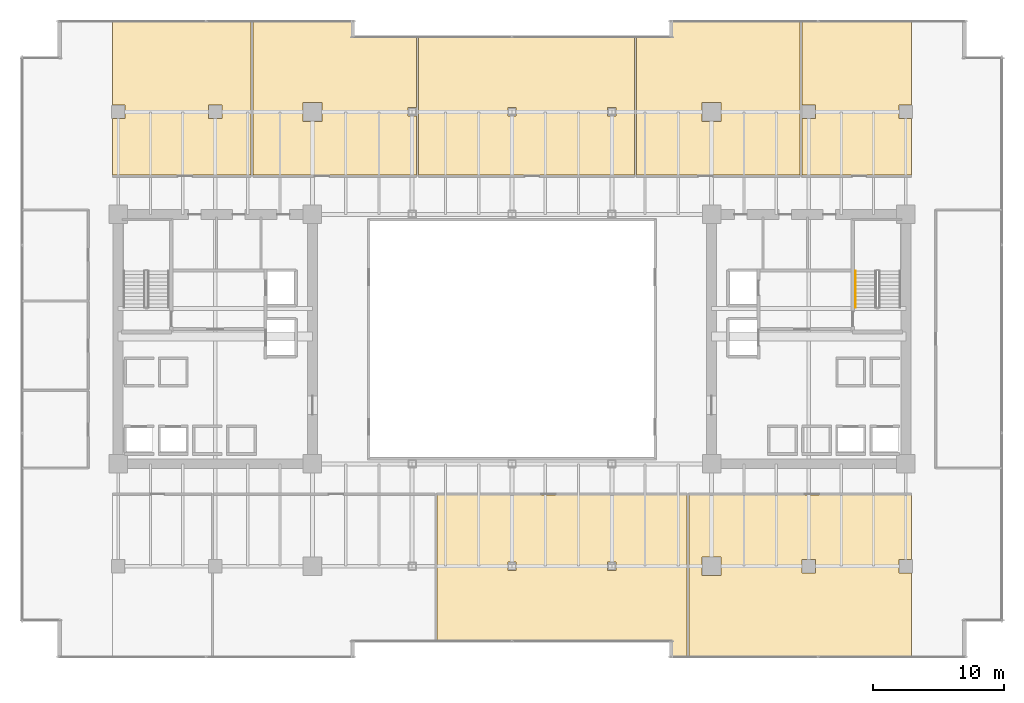
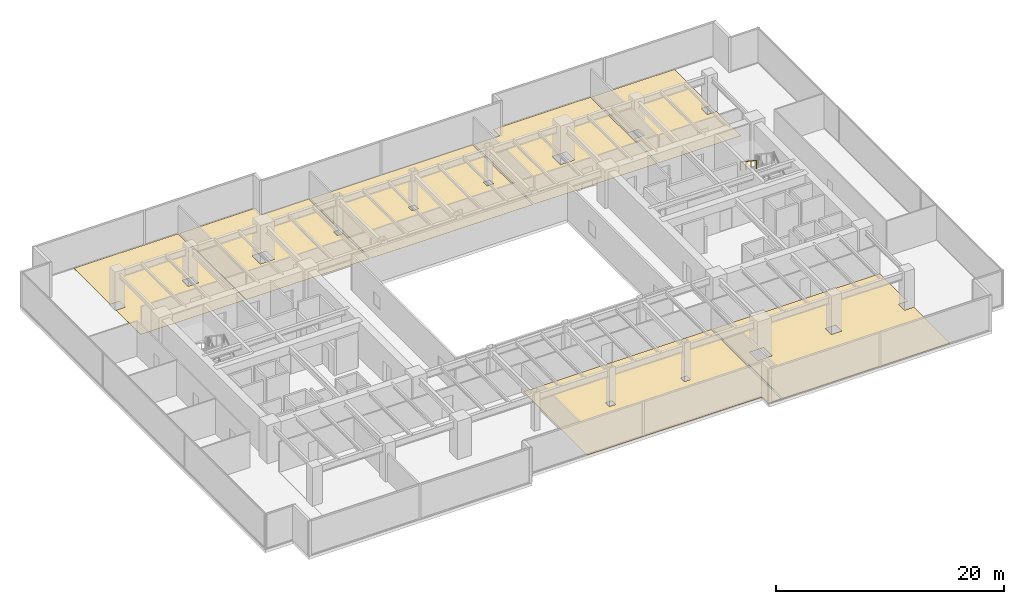
# One storey, part 36 of 37: 7 coverings, 1 railing.
"""IFC4 building model written with IfcOpenShell, lengths in metres."""

from ifc_helpers import new_model, si_unit, direction, frame, origin, origin_2d, place, context, subcontext, project, spatial, polyline, circle, outline, extrude, source, transform, mapped, material, layer, layer_set, type_object, type_shapes, element, save


model = new_model("IFC4")

# Units and contexts
model_context = context("Model", 3, precision=1e-05, world=origin(), true_north=direction((0.0, 1.0)))
body_context = subcontext(model_context, "Body", "Model", "MODEL_VIEW")
ifc_project = project(units=[si_unit("LENGTHUNIT", "METRE"), si_unit("AREAUNIT", "SQUARE_METRE"), si_unit("VOLUMEUNIT", "CUBIC_METRE"), si_unit("PLANEANGLEUNIT", "RADIAN"), si_unit("MASSUNIT", "GRAM", prefix="KILO")], contexts=[model_context])

# Site, building, storey
site_placement = place(None, origin())
site = spatial("IfcSite", under=ifc_project, at=site_placement, CompositionType="ELEMENT")
building_placement = place(site_placement, origin())
building = spatial("IfcBuilding", under=site, at=building_placement, Name="Haelvirn Gate Laboratories", CompositionType="ELEMENT")
storey_placement = place(building_placement, frame((0.0, 0.0, 78.5)))
storey = spatial("IfcBuildingStorey", under=building, at=storey_placement, Name="L19", CompositionType="ELEMENT", Elevation=78.5)

# Coverings
ifc_material_1 = material(Name="Seamless chemical-resistant epoxy laboratory flooring")
ifc_layer = layer(ifc_material_1, 0.01806640625, Name="COV-FLR-RESIN")
ifc_layer_set = layer_set([ifc_layer], Name="Seamless chemical-resistant epoxy laboratory flooring")
covering_type = type_object("IfcCoveringType", Name="COV-FLR-RESIN", PredefinedType="FLOORING", material=ifc_layer_set)
covering_1_placement = place(storey_placement, origin())
element("IfcCovering", 1, at=covering_1_placement, inside=storey, type_object=covering_type, Name="L19 Seamless Laboratory Flooring FLR-SP-L19-S-03", PredefinedType="FLOORING", context=body_context, shape_type="SweptSolid", body=[
    extrude(outline(polyline([(49.43994140625, 0.110107421875), (49.43994140625, 1.199951171875), (49.439697265625, 1.203857421875), (49.439208984375, 1.207763671875), (49.438232421875, 1.211669921875), (49.43701171875, 1.21533203125), (49.435302734375, 1.218994140625), (49.433349609375, 1.22216796875), (49.430908203125, 1.225341796875), (49.42822265625, 1.228271484375), (49.42529296875, 1.23095703125), (49.422119140625, 1.2333984375), (49.4189453125, 1.2353515625), (49.415283203125, 1.237060546875), (49.41162109375, 1.23828125), (49.40771484375, 1.2392578125), (49.40380859375, 1.23974609375), (49.39990234375, 1.239990234375), (31.679931640625, 1.239990234375), (31.679931640625, 12.419921875), (50.719970703125, 12.419921875), (50.719970703125, 0.110107421875), (49.43994140625, 0.110107421875)]), holes=[polyline([(37.080078125, 6.679931640625), (37.719970703125, 6.679931640625), (37.719970703125, 7.320068359375), (37.080078125, 7.320068359375), (37.080078125, 6.679931640625)]), polyline([(44.679931640625, 7.320068359375), (44.679931640625, 6.679931640625), (45.320068359375, 6.679931640625), (45.320068359375, 7.320068359375), (44.679931640625, 7.320068359375)])]), origin(), (0.0, 0.0, 1.0), 0.01806640625),
])
covering_2_placement = place(storey_placement, origin())
element("IfcCovering", 2, at=covering_2_placement, inside=storey, type_object=covering_type, Name="L19 Seamless Laboratory Flooring FLR-SP-L19-S-04", PredefinedType="FLOORING", context=body_context, shape_type="SweptSolid", body=[
    extrude(outline(polyline([(66.8798828125, 7.52001953125), (66.8798828125, 6.47998046875), (67.820068359375, 6.47998046875), (67.820068359375, 0.110107421875), (50.8798828125, 0.110107421875), (50.8798828125, 12.419921875), (67.820068359375, 12.419921875), (67.820068359375, 7.52001953125), (66.8798828125, 7.52001953125)]), holes=[polyline([(53.320068359375, 6.280029296875), (53.320068359375, 7.719970703125), (51.8798828125, 7.719970703125), (51.8798828125, 6.280029296875), (53.320068359375, 6.280029296875)]), polyline([(59.47998046875, 6.47998046875), (60.52001953125, 6.47998046875), (60.52001953125, 7.52001953125), (59.47998046875, 7.52001953125), (59.47998046875, 6.47998046875)])]), origin(), (0.0, 0.0, 1.0), 0.01806640625),
])
covering_3_placement = place(storey_placement, origin())
element("IfcCovering", 3, at=covering_3_placement, inside=storey, type_object=covering_type, Name="L19 Seamless Laboratory Flooring FLR-SP-L19-N-01", PredefinedType="FLOORING", context=body_context, shape_type="SweptSolid", body=[
    extrude(outline(polyline([(17.52001953125, 36.780029296875), (6.97998046875, 36.780029296875), (6.97998046875, 41.080078125), (7.919921875, 41.080078125), (7.919921875, 42.1201171875), (6.97998046875, 42.1201171875), (6.97998046875, 48.489990234375), (17.52001953125, 48.489990234375), (17.52001953125, 36.780029296875)]), holes=[polyline([(14.280029296875, 41.080078125), (15.320068359375, 41.080078125), (15.320068359375, 42.1201171875), (14.280029296875, 42.1201171875), (14.280029296875, 41.080078125)])]), origin(), (0.0, 0.0, 1.0), 0.01806640625),
])
covering_4_placement = place(storey_placement, origin())
element("IfcCovering", 4, at=covering_4_placement, inside=storey, type_object=covering_type, Name="L19 Seamless Laboratory Flooring FLR-SP-L19-N-02", PredefinedType="FLOORING", context=body_context, shape_type="SweptSolid", body=[
    extrude(outline(polyline([(25.360107421875, 48.489990234375), (25.360107421875, 47.39990234375), (25.360107421875, 47.39599609375), (25.36083984375, 47.39208984375), (25.36181640625, 47.388427734375), (25.363037109375, 47.384765625), (25.36474609375, 47.381103515625), (25.36669921875, 47.377685546875), (25.369140625, 47.37451171875), (25.37158203125, 47.37158203125), (25.37451171875, 47.369140625), (25.377685546875, 47.36669921875), (25.381103515625, 47.36474609375), (25.384765625, 47.363037109375), (25.388427734375, 47.36181640625), (25.39208984375, 47.36083984375), (25.39599609375, 47.360107421875), (25.39990234375, 47.360107421875), (30.1201171875, 47.360107421875), (30.1201171875, 41.919921875), (29.47998046875, 41.919921875), (29.47998046875, 41.280029296875), (30.1201171875, 41.280029296875), (30.1201171875, 36.780029296875), (17.679931640625, 36.780029296875), (17.679931640625, 48.489990234375), (25.360107421875, 48.489990234375)]), holes=[polyline([(21.47998046875, 40.8798828125), (22.919921875, 40.8798828125), (22.919921875, 42.320068359375), (21.47998046875, 42.320068359375), (21.47998046875, 40.8798828125)])]), origin(), (0.0, 0.0, 1.0), 0.01806640625),
])
covering_5_placement = place(storey_placement, origin())
element("IfcCovering", 5, at=covering_5_placement, inside=storey, type_object=covering_type, Name="L19 Seamless Laboratory Flooring FLR-SP-L19-N-03", PredefinedType="FLOORING", context=body_context, shape_type="SweptSolid", body=[
    extrude(outline(polyline([(46.719970703125, 47.360107421875), (46.719970703125, 36.780029296875), (30.280029296875, 36.780029296875), (30.280029296875, 47.360107421875), (46.719970703125, 47.360107421875)]), holes=[polyline([(37.080078125, 41.280029296875), (37.719970703125, 41.280029296875), (37.719970703125, 41.919921875), (37.080078125, 41.919921875), (37.080078125, 41.280029296875)]), polyline([(44.679931640625, 41.919921875), (44.679931640625, 41.280029296875), (45.320068359375, 41.280029296875), (45.320068359375, 41.919921875), (44.679931640625, 41.919921875)])]), origin(), (0.0, 0.0, 1.0), 0.01806640625),
])
covering_6_placement = place(storey_placement, origin())
element("IfcCovering", 6, at=covering_6_placement, inside=storey, type_object=covering_type, Name="L19 Seamless Laboratory Flooring FLR-SP-L19-N-04", PredefinedType="FLOORING", context=body_context, shape_type="SweptSolid", body=[
    extrude(outline(polyline([(46.8798828125, 36.780029296875), (46.8798828125, 47.360107421875), (49.39990234375, 47.360107421875), (49.40380859375, 47.360107421875), (49.40771484375, 47.36083984375), (49.41162109375, 47.36181640625), (49.415283203125, 47.363037109375), (49.4189453125, 47.36474609375), (49.422119140625, 47.36669921875), (49.42529296875, 47.369140625), (49.42822265625, 47.37158203125), (49.430908203125, 47.37451171875), (49.433349609375, 47.377685546875), (49.435302734375, 47.381103515625), (49.43701171875, 47.384765625), (49.438232421875, 47.388427734375), (49.439208984375, 47.39208984375), (49.439697265625, 47.39599609375), (49.43994140625, 47.39990234375), (49.43994140625, 48.489990234375), (59.320068359375, 48.489990234375), (59.320068359375, 36.780029296875), (46.8798828125, 36.780029296875)]), holes=[polyline([(51.8798828125, 42.320068359375), (51.8798828125, 40.8798828125), (53.320068359375, 40.8798828125), (53.320068359375, 42.320068359375), (51.8798828125, 42.320068359375)])]), origin(), (0.0, 0.0, 1.0), 0.01806640625),
])
covering_7_placement = place(storey_placement, origin())
element("IfcCovering", 7, at=covering_7_placement, inside=storey, type_object=covering_type, Name="L19 Seamless Laboratory Flooring FLR-SP-L19-N-05", PredefinedType="FLOORING", context=body_context, shape_type="SweptSolid", body=[
    extrude(outline(polyline([(60.52001953125, 42.1201171875), (59.47998046875, 42.1201171875), (59.47998046875, 48.489990234375), (67.820068359375, 48.489990234375), (67.820068359375, 42.1201171875), (66.8798828125, 42.1201171875), (66.8798828125, 41.080078125), (67.820068359375, 41.080078125), (67.820068359375, 36.780029296875), (59.47998046875, 36.780029296875), (59.47998046875, 41.080078125), (60.52001953125, 41.080078125), (60.52001953125, 42.1201171875)])), origin(), (0.0, 0.0, 1.0), 0.01806640625),
])

# Railing
ifc_material_2 = material(Name="Brushed stainless steel 316L", Category="steel")
railing_type = type_object("IfcRailingType", Name="RL-HAND-920", PredefinedType="HANDRAIL", material=ifc_material_2)
shared_shape = source(origin(), body_context, "Body", "SweptSolid", [
    extrude(circle(Radius=0.02392578125, at=origin_2d()), frame((0.0, 0.0, 0.8759765625), z_axis=(0.0, -0.832452072856, 0.554097055034), x_axis=(1.0, 0.0, 0.0)), (0.0, 0.0, 1.0), 3.363525390625),
    extrude(circle(Radius=0.02099609375, at=origin_2d()), origin(), (0.0, 0.0, 1.0), 0.851806640625),
    extrude(circle(Radius=0.02099609375, at=origin_2d()), frame((0.0, -0.933349609375, 0.621337890625)), (0.0, 0.0, 1.0), 0.851806640625),
    extrude(circle(Radius=0.02099609375, at=origin_2d()), frame((0.0, -1.86669921875, 1.242431640625)), (0.0, 0.0, 1.0), 0.851806640625),
    extrude(circle(Radius=0.02099609375, at=origin_2d()), frame((0.0, -2.800048828125, 1.86376953125)), (0.0, 0.0, 1.0), 0.851806640625),
])
type_shapes(railing_type, [shared_shape])
railing_placement = place(storey_placement, frame((63.550048828125, 29.5, 2.236328125)))
element("IfcRailing", 8, at=railing_placement, inside=storey, type_object=railing_type, Name="L19 ST2 stair handrail 2", PredefinedType="HANDRAIL", context=body_context, shape_type="MappedRepresentation", body=[
    mapped(shared_shape, transform((0.0, 0.0, 0.0), scale=1.0)),
])

save(model, "model.ifc")
